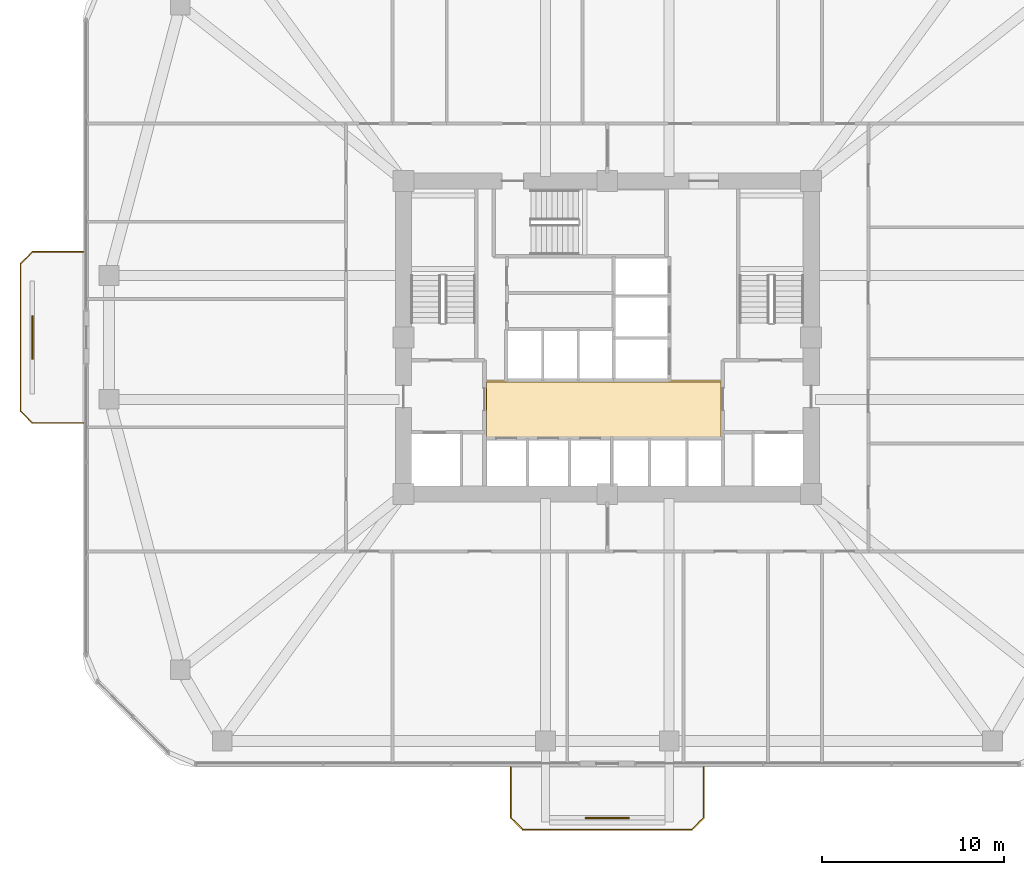
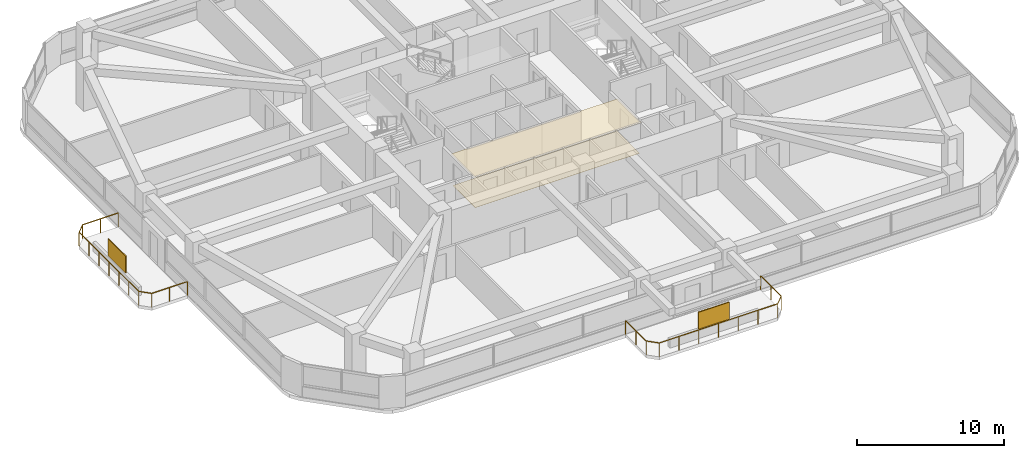
# One storey, part 13 of 14: 2 coverings, 2 railings, 2 shading devices.
"""IFC4 building model written with IfcOpenShell, lengths in metres."""

from ifc_helpers import new_model, si_unit, derived_unit, direction, frame, origin, origin_2d, place, context, subcontext, project, spatial, polyline, rectangle, outline, extrude, material, layer, layer_set, type_object, element, save


model = new_model("IFC4")

# Units and contexts
model_context = context("Model", 3, precision=1e-05, world=origin(), true_north=direction((0.0, 1.0)))
body_context = subcontext(model_context, "Body", "Model", "MODEL_VIEW")
ifc_project = project(units=[si_unit("LENGTHUNIT", "METRE"), si_unit("AREAUNIT", "SQUARE_METRE"), si_unit("VOLUMEUNIT", "CUBIC_METRE"), si_unit("PLANEANGLEUNIT", "RADIAN"), si_unit("MASSUNIT", "GRAM", prefix="KILO"), derived_unit("THERMALTRANSMITTANCEUNIT", [(si_unit("POWERUNIT", "WATT"), 1), (si_unit("LENGTHUNIT", "METRE"), -2), (si_unit("THERMODYNAMICTEMPERATUREUNIT", "KELVIN"), -1)])], contexts=[model_context])

# Site, building, storey
site_placement = place(None, origin())
site = spatial("IfcSite", under=ifc_project, at=site_placement, CompositionType="ELEMENT")
building_placement = place(site_placement, origin())
building = spatial("IfcBuilding", under=site, at=building_placement, Name="Koralith Skygarden Medical Center", CompositionType="ELEMENT")
storey_placement = place(building_placement, frame((0.0, 0.0, 34.739990234375)))
storey = spatial("IfcBuildingStorey", under=building, at=storey_placement, Name="L08", CompositionType="ELEMENT", Elevation=34.739990234375)

# Covering
ifc_material_1 = material(Name="Acoustic Mineral Tile")
ifc_layer_1 = layer(ifc_material_1, 0.02001953125)
ifc_layer_set_1 = layer_set([ifc_layer_1], Name="Acoustic Mineral Tile")
covering_type_1 = type_object("IfcCoveringType", Name="Acoustic Hygienic Mineral Ceiling 20", PredefinedType="CEILING", material=ifc_layer_set_1)
covering_1_placement = place(storey_placement, frame((0.0, 0.0, 2.5849609375)))
element("IfcCovering", 1, at=covering_1_placement, inside=storey, type_object=covering_type_1, Name="L08 Core Lobby Acoustic Ceiling", PredefinedType="CEILING", context=body_context, shape_type="SweptSolid", body=[
    extrude(outline(polyline([(30.25, 20.320068359375), (43.35009765625, 20.320068359375), (43.35009765625, 23.56005859375), (30.25, 23.56005859375), (30.25, 20.320068359375)])), origin(), (0.0, 0.0, 1.0), 0.02001953125),
])

# Railings
ifc_material_2 = material(Name="Steel ASTM A500 Grade C", Category="steel")
railing_type = type_object("IfcRailingType", Name="Outdoor Terrace & Balcony Safety Guardrail 1180", PredefinedType="GUARDRAIL", material=ifc_material_2)
railing_1_placement = place(storey_placement, frame((31.699951171875, 2.300048828125, 0.0)))
element("IfcRailing", 2, at=railing_1_placement, inside=storey, type_object=railing_type, Name="L08 S Balcony Perimeter Guardrail", PredefinedType="GUARDRAIL", context=body_context, shape_type="SweptSolid", body=[
    extrude(rectangle(XDim=0.050048828125, YDim=0.050048828125, at=origin_2d()), frame((0.0, -0.001953125, 1.15478515625), z_axis=(0.0, -1.0, 0.0), x_axis=(1.0, 0.0, 0.0)), (0.0, 0.0, 1.0), 2.796142578125),
    extrude(rectangle(XDim=0.050048828125, YDim=0.050048828125, at=origin_2d()), frame((0.00146484375, -2.801513671875, 1.15478515625), z_axis=(0.707239558722, -0.706973978714, 0.0), x_axis=(0.706973978714, 0.707239558722, 0.0)), (0.0, 0.0, 1.0), 0.915283203125),
    extrude(rectangle(XDim=0.050048828125, YDim=0.050048828125, at=origin_2d()), frame((0.652099609375, -3.449951171875, 1.15478515625), z_axis=(1.0, 0.0, 0.0), x_axis=(0.0, 1.0, 0.0)), (0.0, 0.0, 1.0), 9.2958984375),
    extrude(rectangle(XDim=0.050048828125, YDim=0.050048828125, at=origin_2d()), frame((9.951416015625, -3.448486328125, 1.15478515625), z_axis=(0.707239558722, 0.706973978714, 0.0), x_axis=(-0.706973978714, 0.707239558722, 0.0)), (0.0, 0.0, 1.0), 0.915283203125),
    extrude(rectangle(XDim=0.050048828125, YDim=0.050048828125, at=origin_2d()), frame((10.60009765625, -2.798095703125, 1.15478515625), z_axis=(0.0, 1.0, 0.0), x_axis=(-1.0, 0.0, 0.0)), (0.0, 0.0, 1.0), 2.796142578125),
    extrude(rectangle(XDim=0.0419921875, YDim=0.0419921875, at=origin_2d()), origin(), (0.0, 0.0, 1.0), 1.1279296875),
    extrude(rectangle(XDim=0.0419921875, YDim=0.0419921875, at=origin_2d()), frame((0.0, -1.39990234375, 0.0)), (0.0, 0.0, 1.0), 1.1279296875),
    extrude(rectangle(XDim=0.0419921875, YDim=0.0419921875, at=origin_2d()), frame((0.0, -2.800048828125, 0.0)), (0.0, 0.0, 1.0), 1.1279296875),
    extrude(rectangle(XDim=0.0419921875, YDim=0.0419921875, at=origin_2d()), frame((0.650146484375, -3.449951171875, 0.0)), (0.0, 0.0, 1.0), 1.1279296875),
    extrude(rectangle(XDim=0.0419921875, YDim=0.0419921875, at=origin_2d()), frame((2.2001953125, -3.449951171875, 0.0)), (0.0, 0.0, 1.0), 1.1279296875),
    extrude(rectangle(XDim=0.0419921875, YDim=0.0419921875, at=origin_2d()), frame((3.75, -3.449951171875, 0.0)), (0.0, 0.0, 1.0), 1.1279296875),
    extrude(rectangle(XDim=0.0419921875, YDim=0.0419921875, at=origin_2d()), frame((5.300048828125, -3.449951171875, 0.0)), (0.0, 0.0, 1.0), 1.1279296875),
    extrude(rectangle(XDim=0.0419921875, YDim=0.0419921875, at=origin_2d()), frame((6.85009765625, -3.449951171875, 0.0)), (0.0, 0.0, 1.0), 1.1279296875),
    extrude(rectangle(XDim=0.0419921875, YDim=0.0419921875, at=origin_2d()), frame((8.39990234375, -3.449951171875, 0.0)), (0.0, 0.0, 1.0), 1.1279296875),
    extrude(rectangle(XDim=0.0419921875, YDim=0.0419921875, at=origin_2d()), frame((9.949951171875, -3.449951171875, 0.0)), (0.0, 0.0, 1.0), 1.1279296875),
    extrude(rectangle(XDim=0.0419921875, YDim=0.0419921875, at=origin_2d()), frame((10.60009765625, -2.800048828125, 0.0)), (0.0, 0.0, 1.0), 1.1279296875),
    extrude(rectangle(XDim=0.0419921875, YDim=0.0419921875, at=origin_2d()), frame((10.60009765625, -1.39990234375, 0.0)), (0.0, 0.0, 1.0), 1.1279296875),
    extrude(rectangle(XDim=0.0419921875, YDim=0.0419921875, at=origin_2d()), frame((10.60009765625, 0.0, 0.0)), (0.0, 0.0, 1.0), 1.1279296875),
])
railing_2_placement = place(storey_placement, frame((8.199951171875, 21.199951171875, 0.0)))
element("IfcRailing", 3, at=railing_2_placement, inside=storey, type_object=railing_type, Name="L08 W Balcony Perimeter Guardrail", PredefinedType="GUARDRAIL", context=body_context, shape_type="SweptSolid", body=[
    extrude(rectangle(XDim=0.050048828125, YDim=0.050048828125, at=origin_2d()), frame((-0.001953125, 0.0, 1.15478515625), z_axis=(-1.0, 0.0, 0.0), x_axis=(0.0, -1.0, 0.0)), (0.0, 0.0, 1.0), 2.796142578125),
    extrude(rectangle(XDim=0.050048828125, YDim=0.050048828125, at=origin_2d()), frame((-2.801513671875, 0.00146484375, 1.15478515625), z_axis=(-0.706973978714, 0.707239558722, 0.0), x_axis=(-0.707239558722, -0.706973978714, 0.0)), (0.0, 0.0, 1.0), 0.915283203125),
    extrude(rectangle(XDim=0.050048828125, YDim=0.050048828125, at=origin_2d()), frame((-3.449951171875, 0.652099609375, 1.15478515625), z_axis=(0.0, 1.0, 0.0), x_axis=(-1.0, 0.0, 0.0)), (0.0, 0.0, 1.0), 8.095947265625),
    extrude(rectangle(XDim=0.050048828125, YDim=0.050048828125, at=origin_2d()), frame((-3.448486328125, 8.75146484375, 1.15478515625), z_axis=(0.706973978714, 0.707239558722, 0.0), x_axis=(-0.707239558722, 0.706973978714, 0.0)), (0.0, 0.0, 1.0), 0.915283203125),
    extrude(rectangle(XDim=0.050048828125, YDim=0.050048828125, at=origin_2d()), frame((-2.798095703125, 9.400146484375, 1.15478515625), z_axis=(1.0, 0.0, 0.0), x_axis=(0.0, 1.0, 0.0)), (0.0, 0.0, 1.0), 2.796142578125),
    extrude(rectangle(XDim=0.0419921875, YDim=0.0419921875, at=origin_2d()), origin(), (0.0, 0.0, 1.0), 1.1279296875),
    extrude(rectangle(XDim=0.0419921875, YDim=0.0419921875, at=origin_2d()), frame((-1.39990234375, 0.0, 0.0)), (0.0, 0.0, 1.0), 1.1279296875),
    extrude(rectangle(XDim=0.0419921875, YDim=0.0419921875, at=origin_2d()), frame((-2.800048828125, 0.0, 0.0)), (0.0, 0.0, 1.0), 1.1279296875),
    extrude(rectangle(XDim=0.0419921875, YDim=0.0419921875, at=origin_2d()), frame((-3.449951171875, 0.650146484375, 0.0)), (0.0, 0.0, 1.0), 1.1279296875),
    extrude(rectangle(XDim=0.0419921875, YDim=0.0419921875, at=origin_2d()), frame((-3.449951171875, 2.0, 0.0)), (0.0, 0.0, 1.0), 1.1279296875),
    extrude(rectangle(XDim=0.0419921875, YDim=0.0419921875, at=origin_2d()), frame((-3.449951171875, 3.35009765625, 0.0)), (0.0, 0.0, 1.0), 1.1279296875),
    extrude(rectangle(XDim=0.0419921875, YDim=0.0419921875, at=origin_2d()), frame((-3.449951171875, 4.7001953125, 0.0)), (0.0, 0.0, 1.0), 1.1279296875),
    extrude(rectangle(XDim=0.0419921875, YDim=0.0419921875, at=origin_2d()), frame((-3.449951171875, 6.050048828125, 0.0)), (0.0, 0.0, 1.0), 1.1279296875),
    extrude(rectangle(XDim=0.0419921875, YDim=0.0419921875, at=origin_2d()), frame((-3.449951171875, 7.39990234375, 0.0)), (0.0, 0.0, 1.0), 1.1279296875),
    extrude(rectangle(XDim=0.0419921875, YDim=0.0419921875, at=origin_2d()), frame((-3.449951171875, 8.75, 0.0)), (0.0, 0.0, 1.0), 1.1279296875),
    extrude(rectangle(XDim=0.0419921875, YDim=0.0419921875, at=origin_2d()), frame((-2.800048828125, 9.400146484375, 0.0)), (0.0, 0.0, 1.0), 1.1279296875),
    extrude(rectangle(XDim=0.0419921875, YDim=0.0419921875, at=origin_2d()), frame((-1.39990234375, 9.400146484375, 0.0)), (0.0, 0.0, 1.0), 1.1279296875),
    extrude(rectangle(XDim=0.0419921875, YDim=0.0419921875, at=origin_2d()), frame((0.0, 9.400146484375, 0.0)), (0.0, 0.0, 1.0), 1.1279296875),
])

# Shading devices
ifc_material_3 = material(Name="Aluminium 6063-T6", Category="aluminium")
ifc_layer_2 = layer(ifc_material_3, 0.080078125)
ifc_layer_set_2 = layer_set([ifc_layer_2], Name="Aluminium 6063-T6")
shading_device_type = type_object("IfcShadingDeviceType", Name="Perforated Biophilic Balcony Trellis Screen", PredefinedType="USERDEFINED", material=ifc_layer_set_2)
for number, where, z_axis, x_axis, name in (
    (4, (37.0, -0.5, 0.719970703125), (0.0, 0.0, 1.0), (1.0, 0.0, 0.0), "L08 S Biophilic Balcony Trellis Screen"),
    (5, (5.39990234375, 25.89990234375, 0.719970703125), (0.0, 0.0, 1.0), (0.0, 1.0, 0.0), "L08 W Biophilic Balcony Trellis Screen"),
):
    element("IfcShadingDevice", number, at=place(storey_placement, frame(where, z_axis=z_axis, x_axis=x_axis)), inside=storey, type_object=shading_device_type, Name=name, ObjectType="HURRICANE SCREEN", PredefinedType="USERDEFINED", context=body_context, shape_type="SweptSolid", body=[
        extrude(rectangle(XDim=2.39990234375, YDim=0.080078125, at=origin_2d()), origin(), (0.0, 0.0, 1.0), 1.39990234375),
    ])

# Covering
ifc_material_4 = material(Name="Medical Terrazzo Flooring")
ifc_layer_3 = layer(ifc_material_4, 0.014892578125)
ifc_layer_set_3 = layer_set([ifc_layer_3], Name="Medical Terrazzo Flooring")
covering_type_2 = type_object("IfcCoveringType", Name="Seamless Antimicrobial Terrazzo Flooring 15", PredefinedType="FLOORING", material=ifc_layer_set_3)
covering_2_placement = place(storey_placement, origin())
element("IfcCovering", 6, at=covering_2_placement, inside=storey, type_object=covering_type_2, Name="L08 Core Lobby Terrazzo Flooring", PredefinedType="FLOORING", context=body_context, shape_type="SweptSolid", body=[
    extrude(outline(polyline([(30.35009765625, 20.419921875), (43.25, 20.419921875), (43.25, 23.4599609375), (30.35009765625, 23.4599609375), (30.35009765625, 20.419921875)])), origin(), (0.0, 0.0, 1.0), 0.014892578125),
])

save(model, "model.ifc")
